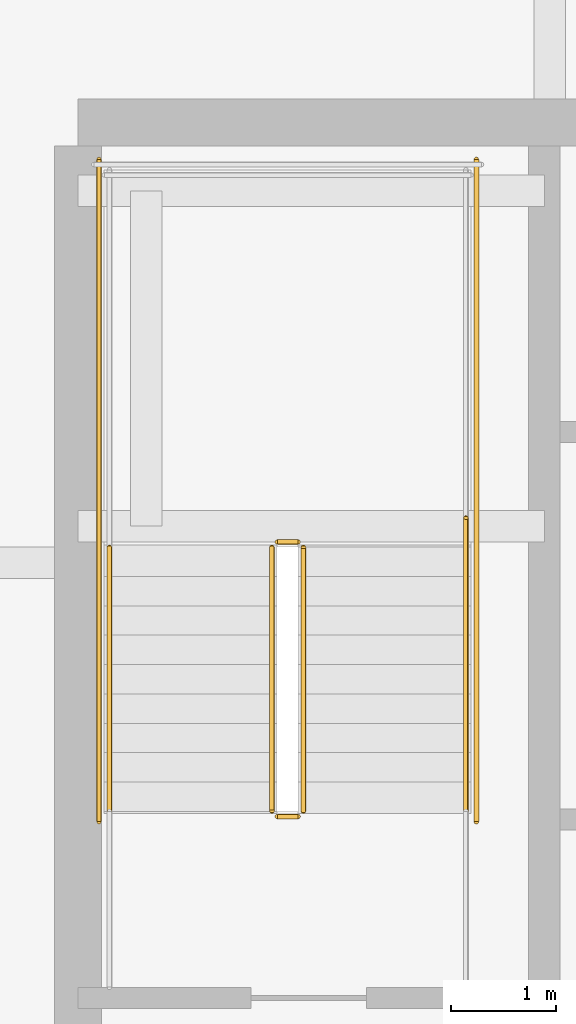
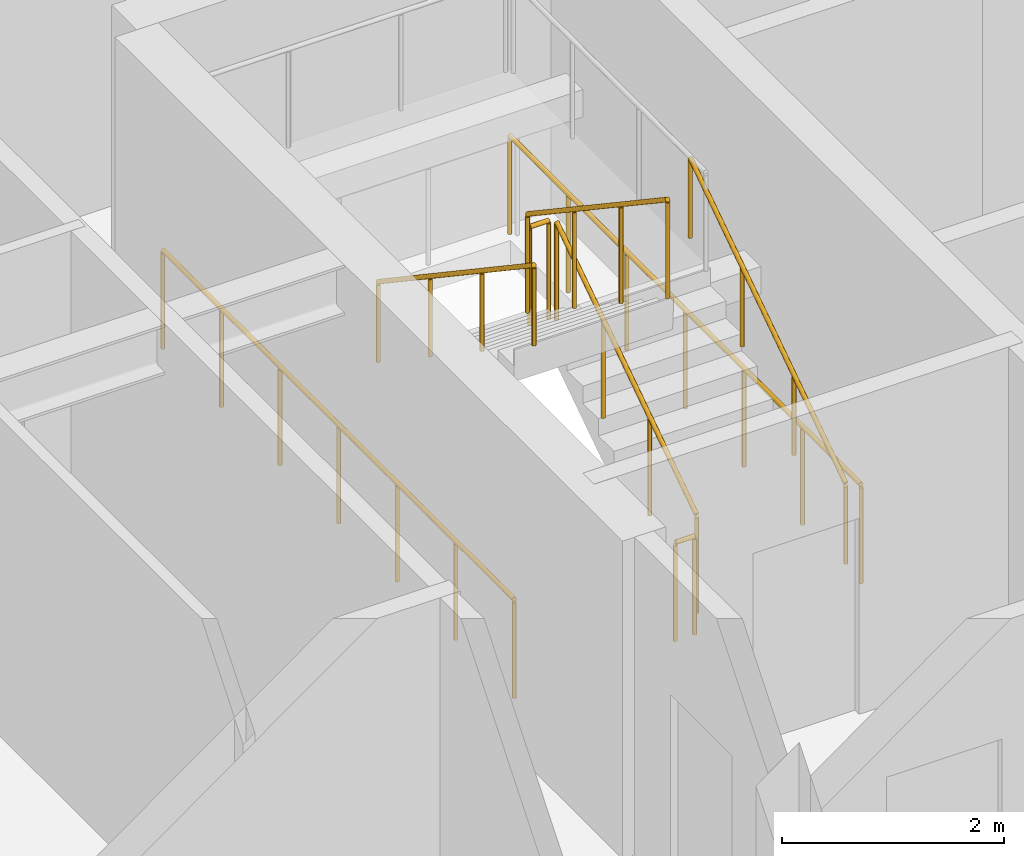
# One storey, part 32 of 36: 8 railings.
"""IFC4 building model written with IfcOpenShell, lengths in metres."""

from ifc_helpers import new_model, si_unit, direction, frame, origin, origin_2d, place, context, subcontext, project, spatial, circle, extrude, material, type_object, element, save


model = new_model("IFC4")

# Units and contexts
model_context = context("Model", 3, precision=1e-05, world=origin(), true_north=direction((0.0, 1.0)))
body_context = subcontext(model_context, "Body", "Model", "MODEL_VIEW")
ifc_project = project(units=[si_unit("LENGTHUNIT", "METRE"), si_unit("AREAUNIT", "SQUARE_METRE"), si_unit("VOLUMEUNIT", "CUBIC_METRE"), si_unit("PLANEANGLEUNIT", "RADIAN"), si_unit("MASSUNIT", "GRAM", prefix="KILO")], contexts=[model_context])

# Site, building, storey
site_placement = place(None, origin())
site = spatial("IfcSite", under=ifc_project, at=site_placement, CompositionType="ELEMENT")
building_placement = place(site_placement, origin())
building = spatial("IfcBuilding", under=site, at=building_placement, Name="Serunith Strait Residences", CompositionType="ELEMENT")
storey_placement = place(building_placement, frame((0.0, 0.0, 86.699951171875)))
storey = spatial("IfcBuildingStorey", under=building, at=storey_placement, Name="L21", CompositionType="ELEMENT", Elevation=86.699951171875)

# Railings
ifc_material = material(Name="Brushed stainless steel 316L", Category="steel")
railing_type_1 = type_object("IfcRailingType", Name="RLG-STAIR-GUARD", PredefinedType="BALUSTRADE", material=ifc_material)
railing_1_placement = place(storey_placement, frame((25.550048828125, 27.030029296875, 0.1875)))
element("IfcRailing", 1, at=railing_1_placement, inside=storey, type_object=railing_type_1, Name="L21 ST-1 stair guard 1", PredefinedType="BALUSTRADE", context=body_context, shape_type="SweptSolid", body=[
    extrude(circle(Radius=0.02392578125, at=origin_2d()), frame((0.0, 0.001708984375, 1.0771484375), z_axis=(0.0, 0.830909170722, 0.55640807867), x_axis=(-1.0, 0.0, 0.0)), (0.0, 0.0, 1.0), 3.02880859375),
    extrude(circle(Radius=0.02099609375, at=origin_2d()), origin(), (0.0, 0.0, 1.0), 1.050048828125),
    extrude(circle(Radius=0.02099609375, at=origin_2d()), frame((0.0, 0.840087890625, 0.5625)), (0.0, 0.0, 1.0), 1.050048828125),
    extrude(circle(Radius=0.02099609375, at=origin_2d()), frame((0.0, 1.679931640625, 1.125)), (0.0, 0.0, 1.0), 1.050048828125),
    extrude(circle(Radius=0.02099609375, at=origin_2d()), frame((0.0, 2.52001953125, 1.6875)), (0.0, 0.0, 1.0), 1.050048828125),
])
railing_2_placement = place(storey_placement, frame((25.5, 29.60009765625, 1.875)))
element("IfcRailing", 2, at=railing_2_placement, inside=storey, type_object=railing_type_1, Name="L21 ST-1 stair guard 2", PredefinedType="BALUSTRADE", context=body_context, shape_type="SweptSolid", body=[
    extrude(circle(Radius=0.02392578125, at=origin_2d()), frame((-0.001953125, 0.0, 1.076171875), z_axis=(-1.0, 0.0, 0.0), x_axis=(0.0, -1.0, 0.0)), (0.0, 0.0, 1.0), 0.196044921875),
    extrude(circle(Radius=0.02099609375, at=origin_2d()), origin(), (0.0, 0.0, 1.0), 1.050048828125),
    extrude(circle(Radius=0.02099609375, at=origin_2d()), frame((-0.199951171875, 0.0, 0.0)), (0.0, 0.0, 1.0), 1.050048828125),
])
railing_3_placement = place(storey_placement, frame((25.25, 29.550048828125, 2.0625)))
element("IfcRailing", 3, at=railing_3_placement, inside=storey, type_object=railing_type_1, Name="L21 ST-1 stair guard 6", PredefinedType="BALUSTRADE", context=body_context, shape_type="SweptSolid", body=[
    extrude(circle(Radius=0.02392578125, at=origin_2d()), frame((0.0, -0.001708984375, 1.0771484375), z_axis=(0.0, -0.830909170722, 0.55640807867), x_axis=(1.0, 0.0, 0.0)), (0.0, 0.0, 1.0), 3.02880859375),
    extrude(circle(Radius=0.02099609375, at=origin_2d()), origin(), (0.0, 0.0, 1.0), 1.050048828125),
    extrude(circle(Radius=0.02099609375, at=origin_2d()), frame((0.0, -0.840087890625, 0.5625)), (0.0, 0.0, 1.0), 1.050048828125),
    extrude(circle(Radius=0.02099609375, at=origin_2d()), frame((0.0, -1.679931640625, 1.125)), (0.0, 0.0, 1.0), 1.050048828125),
    extrude(circle(Radius=0.02099609375, at=origin_2d()), frame((0.0, -2.52001953125, 1.6875)), (0.0, 0.0, 1.0), 1.050048828125),
])
railing_4_placement = place(storey_placement, frame((25.5, 26.97998046875, 0.0)))
element("IfcRailing", 4, at=railing_4_placement, inside=storey, type_object=railing_type_1, Name="L21 ST-1 stair guard 7", PredefinedType="BALUSTRADE", context=body_context, shape_type="SweptSolid", body=[
    extrude(circle(Radius=0.02392578125, at=origin_2d()), frame((-0.001953125, 0.0, 1.076171875), z_axis=(-1.0, 0.0, 0.0), x_axis=(0.0, -1.0, 0.0)), (0.0, 0.0, 1.0), 0.196044921875),
    extrude(circle(Radius=0.02099609375, at=origin_2d()), origin(), (0.0, 0.0, 1.0), 1.050048828125),
    extrude(circle(Radius=0.02099609375, at=origin_2d()), frame((-0.199951171875, 0.0, 0.0)), (0.0, 0.0, 1.0), 1.050048828125),
])
for number, where, name in (
    (5, (27.199951171875, 26.929931640625, 0.0), "L21 ST-1 stair guard 10"),
    (6, (23.60009765625, 26.929931640625, 0.0), "L21 ST-1 stair guard 11"),
):
    element("IfcRailing", number, at=place(storey_placement, frame(where)), inside=storey, type_object=railing_type_1, Name=name, PredefinedType="BALUSTRADE", context=body_context, shape_type="SweptSolid", body=[
        extrude(circle(Radius=0.02392578125, at=origin_2d()), frame((0.0, 0.001953125, 1.076171875), z_axis=(0.0, 1.0, 0.0), x_axis=(-1.0, 0.0, 0.0)), (0.0, 0.0, 1.0), 6.316162109375),
        extrude(circle(Radius=0.02099609375, at=origin_2d()), origin(), (0.0, 0.0, 1.0), 1.050048828125),
        extrude(circle(Radius=0.02099609375, at=origin_2d()), frame((0.0, 1.05322265625, 0.0)), (0.0, 0.0, 1.0), 1.050048828125),
        extrude(circle(Radius=0.02099609375, at=origin_2d()), frame((0.0, 2.106689453125, 0.0)), (0.0, 0.0, 1.0), 1.050048828125),
        extrude(circle(Radius=0.02099609375, at=origin_2d()), frame((0.0, 3.16015625, 0.0)), (0.0, 0.0, 1.0), 1.050048828125),
        extrude(circle(Radius=0.02099609375, at=origin_2d()), frame((0.0, 4.21337890625, 0.0)), (0.0, 0.0, 1.0), 1.050048828125),
        extrude(circle(Radius=0.02099609375, at=origin_2d()), frame((0.0, 5.2666015625, 0.0)), (0.0, 0.0, 1.0), 1.050048828125),
        extrude(circle(Radius=0.02099609375, at=origin_2d()), frame((0.0, 6.320068359375, 0.0)), (0.0, 0.0, 1.0), 1.050048828125),
    ])
railing_type_2 = type_object("IfcRailingType", Name="RLG-STAIR-HR", PredefinedType="HANDRAIL", material=ifc_material)
railing_5_placement = place(storey_placement, frame((27.10009765625, 27.030029296875, 0.1875)))
element("IfcRailing", 7, at=railing_5_placement, inside=storey, type_object=railing_type_2, Name="L21 ST-1 stair handrail 1", PredefinedType="HANDRAIL", context=body_context, shape_type="SweptSolid", body=[
    extrude(circle(Radius=0.02392578125, at=origin_2d()), frame((0.0, 0.001708984375, 0.876953125), z_axis=(0.0, 0.830208209119, 0.557453432594), x_axis=(-1.0, 0.0, 0.0)), (0.0, 0.0, 1.0), 3.36865234375),
    extrude(circle(Radius=0.02099609375, at=origin_2d()), origin(), (0.0, 0.0, 1.0), 0.849853515625),
    extrude(circle(Radius=0.02099609375, at=origin_2d()), frame((0.0, 0.933349609375, 0.626708984375)), (0.0, 0.0, 1.0), 0.849853515625),
    extrude(circle(Radius=0.02099609375, at=origin_2d()), frame((0.0, 1.86669921875, 1.25341796875)), (0.0, 0.0, 1.0), 0.849853515625),
    extrude(circle(Radius=0.02099609375, at=origin_2d()), frame((0.0, 2.800048828125, 1.880126953125)), (0.0, 0.0, 1.0), 0.849853515625),
])
railing_6_placement = place(storey_placement, frame((23.699951171875, 29.550048828125, 2.0625)))
element("IfcRailing", 8, at=railing_6_placement, inside=storey, type_object=railing_type_2, Name="L21 ST-1 stair handrail 2", PredefinedType="HANDRAIL", context=body_context, shape_type="SweptSolid", body=[
    extrude(circle(Radius=0.02392578125, at=origin_2d()), frame((0.0, -0.001708984375, 0.876953125), z_axis=(0.0, -0.830208209119, 0.557453432594), x_axis=(1.0, 0.0, 0.0)), (0.0, 0.0, 1.0), 3.36865234375),
    extrude(circle(Radius=0.02099609375, at=origin_2d()), origin(), (0.0, 0.0, 1.0), 0.849853515625),
    extrude(circle(Radius=0.02099609375, at=origin_2d()), frame((0.0, -0.933349609375, 0.626708984375)), (0.0, 0.0, 1.0), 0.849853515625),
    extrude(circle(Radius=0.02099609375, at=origin_2d()), frame((0.0, -1.86669921875, 1.25341796875)), (0.0, 0.0, 1.0), 0.849853515625),
    extrude(circle(Radius=0.02099609375, at=origin_2d()), frame((0.0, -2.800048828125, 1.880126953125)), (0.0, 0.0, 1.0), 0.849853515625),
])

save(model, "model.ifc")
